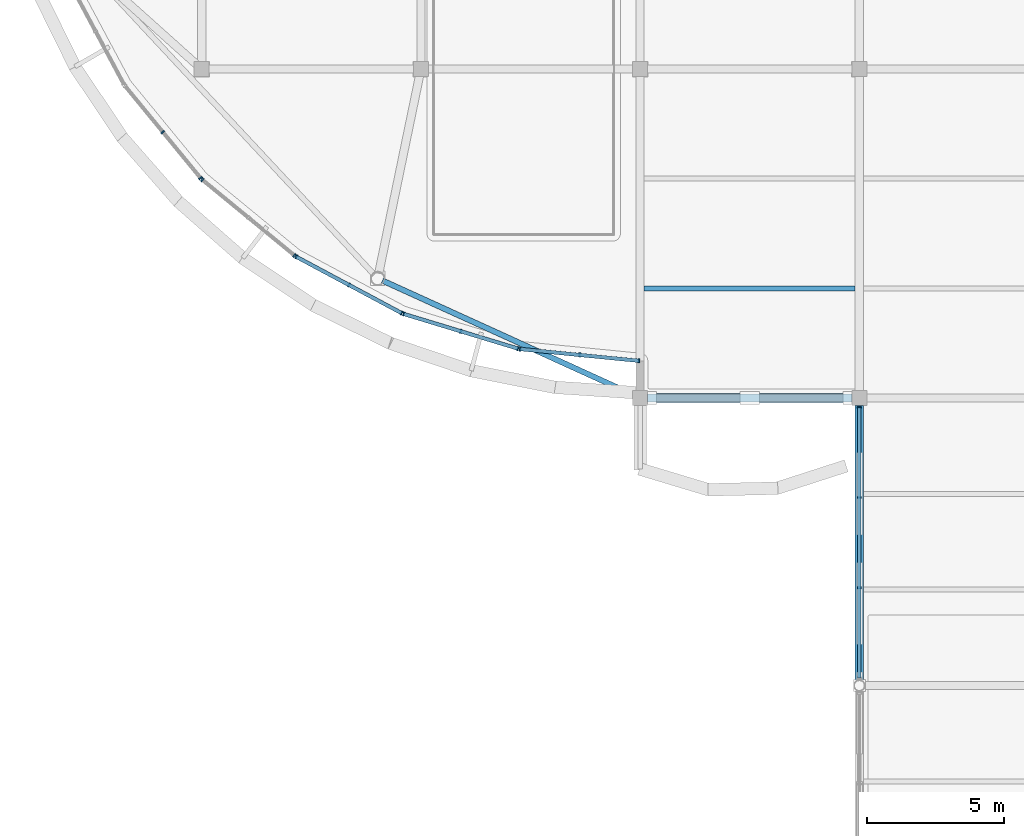
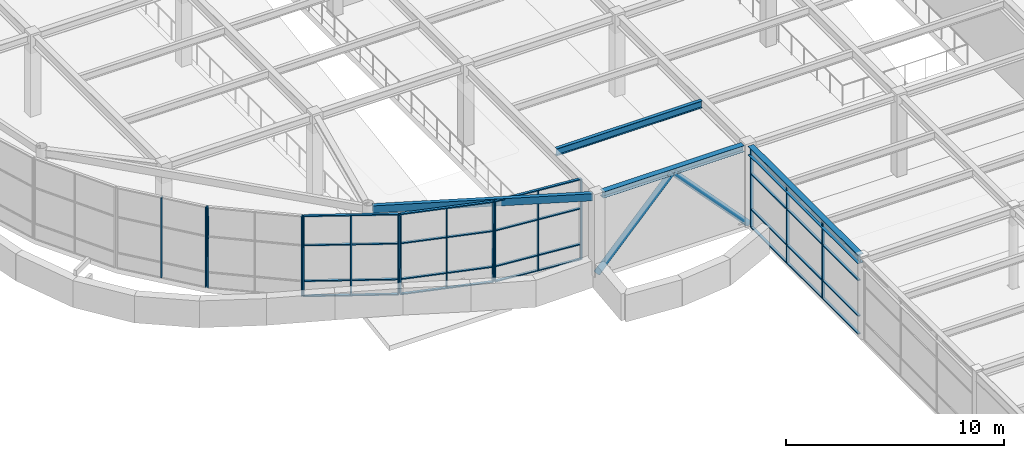
# One storey, part 11 of 72: 34 members, 4 beams, 6 elements without a shape of their own.
"""IFC4 building model written with IfcOpenShell, lengths in metres."""

from ifc_helpers import new_model, si_unit, direction, frame, origin, origin_2d, place, context, subcontext, project, spatial, rectangle, hollow_rectangle, hollow_circle, i_section, extrude, material, layer, layer_set, material_profile, profile_set, type_object, element, aggregate, save


model = new_model("IFC4")

# Units and contexts
model_context = context("Model", 3, precision=1e-05, world=origin(), true_north=direction((0.0, 1.0)))
body_context = subcontext(model_context, "Body", "Model", "MODEL_VIEW")
ifc_project = project(units=[si_unit("LENGTHUNIT", "METRE"), si_unit("AREAUNIT", "SQUARE_METRE"), si_unit("VOLUMEUNIT", "CUBIC_METRE"), si_unit("PLANEANGLEUNIT", "RADIAN"), si_unit("MASSUNIT", "GRAM", prefix="KILO")], contexts=[model_context])

# Site, building, storey
site_placement = place(None, origin())
site = spatial("IfcSite", under=ifc_project, at=site_placement, CompositionType="ELEMENT")
building_placement = place(site_placement, origin())
building = spatial("IfcBuilding", under=site, at=building_placement, Name="Keelwater Ferry Terminal", CompositionType="ELEMENT")
storey_placement = place(building_placement, frame((0.0, 0.0, 5.39990234375)))
storey = spatial("IfcBuildingStorey", under=building, at=storey_placement, Name="L01", CompositionType="ELEMENT", Elevation=5.39990234375)

# Members
ifc_material_1 = material(Name="Steel S355", Category="steel")
ifc_material_profile_1 = material_profile(ifc_material_1, hollow_circle(Radius=0.161865234375, WallThickness=0.012451171875, at=origin_2d()), Name="CHS 323.9x12.5")
ifc_profile_set_1 = profile_set([ifc_material_profile_1], Name="Steel S355")
member_type_1 = type_object("IfcMemberType", Name="BR1 CHS 323.9x12.5", PredefinedType="BRACE", material=ifc_profile_set_1)
for number, where, z_axis, x_axis, name in (
    (1, (24.0, 42.0, 0.0), (0.683655146647, 0.0, 0.729805207205), (0.0, 1.0, 0.0), "Structural Member MB-L01-0533"),
    (2, (32.0, 42.0, 0.0), (-0.683655146647, 0.0, 0.729805207205), (0.0, -1.0, 0.0), "Structural Member MB-L01-0534"),
):
    element("IfcMember", number, at=place(storey_placement, frame(where, z_axis=z_axis, x_axis=x_axis)), inside=storey, type_object=member_type_1, Name=name, PredefinedType="BRACE", context=body_context, shape_type="SweptSolid", body=[
        extrude(hollow_circle(Radius=0.161865234375, WallThickness=0.012451171875, at=origin_2d()), origin(), (0.0, 0.0, 1.0), 5.850830078125),
    ])

# Curtain wall, members
ifc_material_2 = material(Name="Thermally broken unitised aluminium and triple glass", Category="aluminium")
ifc_layer_1 = layer(ifc_material_2, 0.179931640625)
ifc_layer_set_1 = layer_set([ifc_layer_1], Name="Thermally broken unitised aluminium and triple glass")
curtain_wall_type_1 = type_object("IfcCurtainWallType", Name="CW-11 Unitised Curtain Wall 9872x4400", PredefinedType="USERDEFINED", material=ifc_layer_set_1)
curtain_wall_1_placement = place(storey_placement, origin())
curtain_wall_1 = element("IfcCurtainWall", 3, at=curtain_wall_1_placement, inside=storey, type_object=curtain_wall_type_1, Name="Unitised Curtain Wall CW-L01-052", ObjectType="UNITISED CURTAIN WALL", PredefinedType="USERDEFINED")
ifc_material_3 = material(Name="Aluminium mullion", Category="aluminium")
ifc_material_profile_2 = material_profile(ifc_material_3, rectangle(XDim=0.06005859375, YDim=0.14990234375, at=origin_2d()), Name="CWM-03")
ifc_profile_set_2 = profile_set([ifc_material_profile_2], Name="Aluminium mullion")
member_type_2 = type_object("IfcMemberType", Name="CWM-03 Curtain Mullion 60x150", PredefinedType="MULLION", material=ifc_profile_set_2)
member_1_placement = place(storey_placement, frame((32.0, 35.068603515625, 0.0), z_axis=(0.0, 0.0, 1.0), x_axis=(0.0, 1.0, 0.0)))
member_1 = element("IfcMember", 4, at=member_1_placement, type_object=member_type_2, Name="CW-L01-052 Mullion 2", PredefinedType="MULLION", context=body_context, shape_type="SweptSolid", body=[
    extrude(rectangle(XDim=0.06005859375, YDim=0.14990234375, at=origin_2d()), origin(), (0.0, 0.0, 1.0), 4.400146484375),
])
member_2_placement = place(storey_placement, frame((32.0, 38.359375, 0.0), z_axis=(0.0, 0.0, 1.0), x_axis=(0.0, 1.0, 0.0)))
member_2 = element("IfcMember", 5, at=member_2_placement, type_object=member_type_2, Name="CW-L01-052 Mullion 3", PredefinedType="MULLION", context=body_context, shape_type="SweptSolid", body=[
    extrude(rectangle(XDim=0.06005859375, YDim=0.14990234375, at=origin_2d()), origin(), (0.0, 0.0, 1.0), 4.400146484375),
])
member_3_placement = place(storey_placement, frame((32.0, 41.64990234375, 0.0), z_axis=(0.0, 0.0, 1.0), x_axis=(0.0, 1.0, 0.0)))
member_3 = element("IfcMember", 6, at=member_3_placement, type_object=member_type_2, Name="CW-L01-052 Mullion 4", PredefinedType="MULLION", context=body_context, shape_type="SweptSolid", body=[
    extrude(rectangle(XDim=0.06005859375, YDim=0.14990234375, at=origin_2d()), origin(), (0.0, 0.0, 1.0), 4.400146484375),
])

ifc_material_4 = material(Name="Thermally broken unitised aluminium and triple glass", Category="aluminium")
ifc_layer_2 = layer(ifc_material_4, 0.179931640625)
ifc_layer_set_2 = layer_set([ifc_layer_2], Name="Thermally broken unitised aluminium and triple glass")
curtain_wall_type_2 = type_object("IfcCurtainWallType", Name="CW-18 Unitised Curtain Wall 4350x4480", PredefinedType="USERDEFINED", material=ifc_layer_set_2)
curtain_wall_2_placement = place(storey_placement, origin())
curtain_wall_2 = element("IfcCurtainWall", 7, at=curtain_wall_2_placement, inside=storey, type_object=curtain_wall_type_2, Name="Unitised Curtain Wall CW-L01-120", ObjectType="UNITISED CURTAIN WALL", PredefinedType="USERDEFINED")
member_4_placement = place(storey_placement, frame((6.575439453125, 51.699951171875, 0.0), z_axis=(0.0, 0.0, 1.0), x_axis=(0.634376508991, -0.773024220086, 0.0)))
member_4 = element("IfcMember", 8, at=member_4_placement, type_object=member_type_2, Name="CW-L01-120 Mullion 2", PredefinedType="MULLION", context=body_context, shape_type="SweptSolid", body=[
    extrude(rectangle(XDim=0.06005859375, YDim=0.14990234375, at=origin_2d()), origin(), (0.0, 0.0, 1.0), 4.47998046875),
])
member_5_placement = place(storey_placement, frame((7.955078125, 50.01904296875, 0.0), z_axis=(0.0, 0.0, 1.0), x_axis=(0.634376508991, -0.773024220086, 0.0)))
member_5 = element("IfcMember", 9, at=member_5_placement, type_object=member_type_2, Name="CW-L01-120 Mullion 3", PredefinedType="MULLION", context=body_context, shape_type="SweptSolid", body=[
    extrude(rectangle(XDim=0.06005859375, YDim=0.14990234375, at=origin_2d()), origin(), (0.0, 0.0, 1.0), 4.47998046875),
])
aggregate(curtain_wall_2, [member_4, member_5])

curtain_wall_3_placement = place(storey_placement, origin())
curtain_wall_3 = element("IfcCurtainWall", 10, at=curtain_wall_3_placement, inside=storey, type_object=curtain_wall_type_2, Name="Unitised Curtain Wall CW-L01-121", ObjectType="UNITISED CURTAIN WALL", PredefinedType="USERDEFINED")
member_6_placement = place(storey_placement, frame((8.01904296875, 49.955078125, 0.0), z_axis=(0.0, 0.0, 1.0), x_axis=(0.773024220086, -0.634376508991, 0.0)))
member_6 = element("IfcMember", 11, at=member_6_placement, type_object=member_type_2, Name="CW-L01-121 Mullion 1", PredefinedType="MULLION", context=body_context, shape_type="SweptSolid", body=[
    extrude(rectangle(XDim=0.06005859375, YDim=0.14990234375, at=origin_2d()), origin(), (0.0, 0.0, 1.0), 4.47998046875),
])
member_7_placement = place(storey_placement, frame((11.381103515625, 47.196044921875, 0.0), z_axis=(0.0, 0.0, 1.0), x_axis=(0.773024220086, -0.634376508991, 0.0)))
member_7 = element("IfcMember", 12, at=member_7_placement, type_object=member_type_2, Name="CW-L01-121 Mullion 3", PredefinedType="MULLION", context=body_context, shape_type="SweptSolid", body=[
    extrude(rectangle(XDim=0.06005859375, YDim=0.14990234375, at=origin_2d()), origin(), (0.0, 0.0, 1.0), 4.47998046875),
])
aggregate(curtain_wall_3, [member_6, member_7])

curtain_wall_4_placement = place(storey_placement, origin())
curtain_wall_4 = element("IfcCurtainWall", 13, at=curtain_wall_4_placement, inside=storey, type_object=curtain_wall_type_2, Name="Unitised Curtain Wall CW-L01-122", ObjectType="UNITISED CURTAIN WALL", PredefinedType="USERDEFINED")
member_8_placement = place(storey_placement, frame((11.4560546875, 47.14599609375, 0.0), z_axis=(0.0, 0.0, 1.0), x_axis=(0.881862452632, -0.471506749303, 0.0)))
member_8 = element("IfcMember", 14, at=member_8_placement, type_object=member_type_2, Name="CW-L01-122 Mullion 1", PredefinedType="MULLION", context=body_context, shape_type="SweptSolid", body=[
    extrude(rectangle(XDim=0.06005859375, YDim=0.14990234375, at=origin_2d()), origin(), (0.0, 0.0, 1.0), 4.47998046875),
])
member_9_placement = place(storey_placement, frame((13.3740234375, 46.12060546875, 0.0), z_axis=(0.0, 0.0, 1.0), x_axis=(0.881862452632, -0.471506749303, 0.0)))
member_9 = element("IfcMember", 15, at=member_9_placement, type_object=member_type_2, Name="CW-L01-122 Mullion 2", PredefinedType="MULLION", context=body_context, shape_type="SweptSolid", body=[
    extrude(rectangle(XDim=0.06005859375, YDim=0.14990234375, at=origin_2d()), origin(), (0.0, 0.0, 1.0), 4.47998046875),
])
member_10_placement = place(storey_placement, frame((15.2919921875, 45.094970703125, 0.0), z_axis=(0.0, 0.0, 1.0), x_axis=(0.881862452632, -0.471506749303, 0.0)))
member_10 = element("IfcMember", 16, at=member_10_placement, type_object=member_type_2, Name="CW-L01-122 Mullion 3", PredefinedType="MULLION", context=body_context, shape_type="SweptSolid", body=[
    extrude(rectangle(XDim=0.06005859375, YDim=0.14990234375, at=origin_2d()), origin(), (0.0, 0.0, 1.0), 4.47998046875),
])

curtain_wall_5_placement = place(storey_placement, origin())
curtain_wall_5 = element("IfcCurtainWall", 17, at=curtain_wall_5_placement, inside=storey, type_object=curtain_wall_type_2, Name="Unitised Curtain Wall CW-L01-123", ObjectType="UNITISED CURTAIN WALL", PredefinedType="USERDEFINED")
member_11_placement = place(storey_placement, frame((15.375, 45.06103515625, 0.0), z_axis=(0.0, 0.0, 1.0), x_axis=(0.956929623319, -0.290319989003, 0.0)))
member_11 = element("IfcMember", 18, at=member_11_placement, type_object=member_type_2, Name="CW-L01-123 Mullion 1", PredefinedType="MULLION", context=body_context, shape_type="SweptSolid", body=[
    extrude(rectangle(XDim=0.06005859375, YDim=0.14990234375, at=origin_2d()), origin(), (0.0, 0.0, 1.0), 4.47998046875),
])
member_12_placement = place(storey_placement, frame((17.45654296875, 44.429443359375, 0.0), z_axis=(0.0, 0.0, 1.0), x_axis=(0.956929623319, -0.290319989003, 0.0)))
member_12 = element("IfcMember", 19, at=member_12_placement, type_object=member_type_2, Name="CW-L01-123 Mullion 2", PredefinedType="MULLION", context=body_context, shape_type="SweptSolid", body=[
    extrude(rectangle(XDim=0.06005859375, YDim=0.14990234375, at=origin_2d()), origin(), (0.0, 0.0, 1.0), 4.47998046875),
])
member_13_placement = place(storey_placement, frame((19.5380859375, 43.798095703125, 0.0), z_axis=(0.0, 0.0, 1.0), x_axis=(0.956929623319, -0.290319989003, 0.0)))
member_13 = element("IfcMember", 20, at=member_13_placement, type_object=member_type_2, Name="CW-L01-123 Mullion 3", PredefinedType="MULLION", context=body_context, shape_type="SweptSolid", body=[
    extrude(rectangle(XDim=0.06005859375, YDim=0.14990234375, at=origin_2d()), origin(), (0.0, 0.0, 1.0), 4.47998046875),
])

curtain_wall_6_placement = place(storey_placement, origin())
curtain_wall_6 = element("IfcCurtainWall", 21, at=curtain_wall_6_placement, inside=storey, type_object=curtain_wall_type_2, Name="Unitised Curtain Wall CW-L01-124", ObjectType="UNITISED CURTAIN WALL", PredefinedType="USERDEFINED")
member_14_placement = place(storey_placement, frame((19.6259765625, 43.781005859375, 0.0), z_axis=(0.0, 0.0, 1.0), x_axis=(0.995170573079, -0.098160737969, 0.0)))
member_14 = element("IfcMember", 22, at=member_14_placement, type_object=member_type_2, Name="CW-L01-124 Mullion 1", PredefinedType="MULLION", context=body_context, shape_type="SweptSolid", body=[
    extrude(rectangle(XDim=0.06005859375, YDim=0.14990234375, at=origin_2d()), origin(), (0.0, 0.0, 1.0), 4.47998046875),
])
member_15_placement = place(storey_placement, frame((21.79052734375, 43.5673828125, 0.0), z_axis=(0.0, 0.0, 1.0), x_axis=(0.995170573079, -0.098160737969, 0.0)))
member_15 = element("IfcMember", 23, at=member_15_placement, type_object=member_type_2, Name="CW-L01-124 Mullion 2", PredefinedType="MULLION", context=body_context, shape_type="SweptSolid", body=[
    extrude(rectangle(XDim=0.06005859375, YDim=0.14990234375, at=origin_2d()), origin(), (0.0, 0.0, 1.0), 4.47998046875),
])
member_16_placement = place(storey_placement, frame((23.955078125, 43.35400390625, 0.0), z_axis=(0.0, 0.0, 1.0), x_axis=(0.995170573079, -0.098160737969, 0.0)))
member_16 = element("IfcMember", 24, at=member_16_placement, type_object=member_type_2, Name="CW-L01-124 Mullion 3", PredefinedType="MULLION", context=body_context, shape_type="SweptSolid", body=[
    extrude(rectangle(XDim=0.06005859375, YDim=0.14990234375, at=origin_2d()), origin(), (0.0, 0.0, 1.0), 4.47998046875),
])

# Member
ifc_material_5 = material(Name="Aluminium mullion", Category="aluminium")
ifc_material_profile_3 = material_profile(ifc_material_5, rectangle(XDim=0.135009765625, YDim=0.06005859375, at=origin_2d()), Name="CWT-03")
ifc_profile_set_3 = profile_set([ifc_material_profile_3], Name="Aluminium mullion")
member_type_3 = type_object("IfcMemberType", Name="CWT-03 Curtain Transom 60x135", PredefinedType="USERDEFINED", material=ifc_profile_set_3)
member_17_placement = place(storey_placement, frame((32.0, 31.778076171875, 0.0), z_axis=(0.0, 1.0, 0.0), x_axis=(-1.0, 0.0, 0.0)))
member_17 = element("IfcMember", 25, at=member_17_placement, type_object=member_type_3, Name="CW-L01-052 Transom 1", ObjectType="TRANSOM", PredefinedType="USERDEFINED", context=body_context, shape_type="SweptSolid", body=[
    extrude(rectangle(XDim=0.135009765625, YDim=0.06005859375, at=origin_2d()), origin(), (0.0, 0.0, 1.0), 9.871826171875),
])

member_18_placement = place(storey_placement, frame((32.0, 31.778076171875, 1.0), z_axis=(0.0, 1.0, 0.0), x_axis=(-1.0, 0.0, 0.0)))
member_18 = element("IfcMember", 26, at=member_18_placement, type_object=member_type_3, Name="CW-L01-052 Transom 2", ObjectType="TRANSOM", PredefinedType="USERDEFINED", context=body_context, shape_type="SweptSolid", body=[
    extrude(rectangle(XDim=0.135009765625, YDim=0.06005859375, at=origin_2d()), origin(), (0.0, 0.0, 1.0), 9.871826171875),
])

member_19_placement = place(storey_placement, frame((32.0, 31.778076171875, 3.0), z_axis=(0.0, 1.0, 0.0), x_axis=(-1.0, 0.0, 0.0)))
member_19 = element("IfcMember", 27, at=member_19_placement, type_object=member_type_3, Name="CW-L01-052 Transom 3", ObjectType="TRANSOM", PredefinedType="USERDEFINED", context=body_context, shape_type="SweptSolid", body=[
    extrude(rectangle(XDim=0.135009765625, YDim=0.06005859375, at=origin_2d()), origin(), (0.0, 0.0, 1.0), 9.871826171875),
])

member_20_placement = place(storey_placement, frame((32.0, 31.778076171875, 4.400146484375), z_axis=(0.0, 1.0, 0.0), x_axis=(-1.0, 0.0, 0.0)))
member_20 = element("IfcMember", 28, at=member_20_placement, type_object=member_type_3, Name="CW-L01-052 Transom 4", ObjectType="TRANSOM", PredefinedType="USERDEFINED", context=body_context, shape_type="SweptSolid", body=[
    extrude(rectangle(XDim=0.135009765625, YDim=0.06005859375, at=origin_2d()), origin(), (0.0, 0.0, 1.0), 9.871826171875),
])

aggregate(curtain_wall_1, [member_1, member_2, member_3, member_17, member_18, member_19, member_20])

member_21_placement = place(storey_placement, frame((11.4560546875, 47.14599609375, 0.0), z_axis=(0.881856831112, -0.471517263122, 0.0), x_axis=(0.471517263122, 0.881856831112, 0.0)))
member_21 = element("IfcMember", 29, at=member_21_placement, type_object=member_type_3, Name="CW-L01-122 Transom 1", ObjectType="TRANSOM", PredefinedType="USERDEFINED", context=body_context, shape_type="SweptSolid", body=[
    extrude(rectangle(XDim=0.135009765625, YDim=0.06005859375, at=origin_2d()), origin(), (0.0, 0.0, 1.0), 4.349853515625),
])

member_22_placement = place(storey_placement, frame((11.4560546875, 47.14599609375, 0.85009765625), z_axis=(0.881856831112, -0.471517263122, 0.0), x_axis=(0.471517263122, 0.881856831112, 0.0)))
member_22 = element("IfcMember", 30, at=member_22_placement, type_object=member_type_3, Name="CW-L01-122 Transom 2", ObjectType="TRANSOM", PredefinedType="USERDEFINED", context=body_context, shape_type="SweptSolid", body=[
    extrude(rectangle(XDim=0.135009765625, YDim=0.06005859375, at=origin_2d()), origin(), (0.0, 0.0, 1.0), 4.349853515625),
])

member_23_placement = place(storey_placement, frame((11.4560546875, 47.14599609375, 2.85009765625), z_axis=(0.881856831112, -0.471517263122, 0.0), x_axis=(0.471517263122, 0.881856831112, 0.0)))
member_23 = element("IfcMember", 31, at=member_23_placement, type_object=member_type_3, Name="CW-L01-122 Transom 3", ObjectType="TRANSOM", PredefinedType="USERDEFINED", context=body_context, shape_type="SweptSolid", body=[
    extrude(rectangle(XDim=0.135009765625, YDim=0.06005859375, at=origin_2d()), origin(), (0.0, 0.0, 1.0), 4.349853515625),
])

member_24_placement = place(storey_placement, frame((11.4560546875, 47.14599609375, 4.47998046875), z_axis=(0.881856831112, -0.471517263122, 0.0), x_axis=(0.471517263122, 0.881856831112, 0.0)))
member_24 = element("IfcMember", 32, at=member_24_placement, type_object=member_type_3, Name="CW-L01-122 Transom 4", ObjectType="TRANSOM", PredefinedType="USERDEFINED", context=body_context, shape_type="SweptSolid", body=[
    extrude(rectangle(XDim=0.135009765625, YDim=0.06005859375, at=origin_2d()), origin(), (0.0, 0.0, 1.0), 4.349853515625),
])

aggregate(curtain_wall_4, [member_8, member_9, member_10, member_21, member_22, member_23, member_24])

member_25_placement = place(storey_placement, frame((15.375, 45.06103515625, 0.0), z_axis=(0.956935154583, -0.290301756665, 0.0), x_axis=(0.290301756665, 0.956935154583, 0.0)))
member_25 = element("IfcMember", 33, at=member_25_placement, type_object=member_type_3, Name="CW-L01-123 Transom 1", ObjectType="TRANSOM", PredefinedType="USERDEFINED", context=body_context, shape_type="SweptSolid", body=[
    extrude(rectangle(XDim=0.135009765625, YDim=0.06005859375, at=origin_2d()), origin(), (0.0, 0.0, 1.0), 4.350341796875),
])

member_26_placement = place(storey_placement, frame((15.375, 45.06103515625, 0.85009765625), z_axis=(0.956935154583, -0.290301756665, 0.0), x_axis=(0.290301756665, 0.956935154583, 0.0)))
member_26 = element("IfcMember", 34, at=member_26_placement, type_object=member_type_3, Name="CW-L01-123 Transom 2", ObjectType="TRANSOM", PredefinedType="USERDEFINED", context=body_context, shape_type="SweptSolid", body=[
    extrude(rectangle(XDim=0.135009765625, YDim=0.06005859375, at=origin_2d()), origin(), (0.0, 0.0, 1.0), 4.350341796875),
])

member_27_placement = place(storey_placement, frame((15.375, 45.06103515625, 2.85009765625), z_axis=(0.956935154583, -0.290301756665, 0.0), x_axis=(0.290301756665, 0.956935154583, 0.0)))
member_27 = element("IfcMember", 35, at=member_27_placement, type_object=member_type_3, Name="CW-L01-123 Transom 3", ObjectType="TRANSOM", PredefinedType="USERDEFINED", context=body_context, shape_type="SweptSolid", body=[
    extrude(rectangle(XDim=0.135009765625, YDim=0.06005859375, at=origin_2d()), origin(), (0.0, 0.0, 1.0), 4.350341796875),
])

member_28_placement = place(storey_placement, frame((15.375, 45.06103515625, 4.47998046875), z_axis=(0.956935154583, -0.290301756665, 0.0), x_axis=(0.290301756665, 0.956935154583, 0.0)))
member_28 = element("IfcMember", 36, at=member_28_placement, type_object=member_type_3, Name="CW-L01-123 Transom 4", ObjectType="TRANSOM", PredefinedType="USERDEFINED", context=body_context, shape_type="SweptSolid", body=[
    extrude(rectangle(XDim=0.135009765625, YDim=0.06005859375, at=origin_2d()), origin(), (0.0, 0.0, 1.0), 4.350341796875),
])

aggregate(curtain_wall_5, [member_11, member_12, member_13, member_25, member_26, member_27, member_28])

member_29_placement = place(storey_placement, frame((19.6259765625, 43.781005859375, 0.0), z_axis=(0.995170754178, -0.098158901932, 0.0), x_axis=(0.098158901932, 0.995170754178, 0.0)))
member_29 = element("IfcMember", 37, at=member_29_placement, type_object=member_type_3, Name="CW-L01-124 Transom 1", ObjectType="TRANSOM", PredefinedType="USERDEFINED", context=body_context, shape_type="SweptSolid", body=[
    extrude(rectangle(XDim=0.135009765625, YDim=0.06005859375, at=origin_2d()), origin(), (0.0, 0.0, 1.0), 4.35009765625),
])

member_30_placement = place(storey_placement, frame((19.6259765625, 43.781005859375, 0.85009765625), z_axis=(0.995170754178, -0.098158901932, 0.0), x_axis=(0.098158901932, 0.995170754178, 0.0)))
member_30 = element("IfcMember", 38, at=member_30_placement, type_object=member_type_3, Name="CW-L01-124 Transom 2", ObjectType="TRANSOM", PredefinedType="USERDEFINED", context=body_context, shape_type="SweptSolid", body=[
    extrude(rectangle(XDim=0.135009765625, YDim=0.06005859375, at=origin_2d()), origin(), (0.0, 0.0, 1.0), 4.35009765625),
])

member_31_placement = place(storey_placement, frame((19.6259765625, 43.781005859375, 2.85009765625), z_axis=(0.995170754178, -0.098158901932, 0.0), x_axis=(0.098158901932, 0.995170754178, 0.0)))
member_31 = element("IfcMember", 39, at=member_31_placement, type_object=member_type_3, Name="CW-L01-124 Transom 3", ObjectType="TRANSOM", PredefinedType="USERDEFINED", context=body_context, shape_type="SweptSolid", body=[
    extrude(rectangle(XDim=0.135009765625, YDim=0.06005859375, at=origin_2d()), origin(), (0.0, 0.0, 1.0), 4.35009765625),
])

member_32_placement = place(storey_placement, frame((19.6259765625, 43.781005859375, 4.47998046875), z_axis=(0.995170754178, -0.098158901932, 0.0), x_axis=(0.098158901932, 0.995170754178, 0.0)))
member_32 = element("IfcMember", 40, at=member_32_placement, type_object=member_type_3, Name="CW-L01-124 Transom 4", ObjectType="TRANSOM", PredefinedType="USERDEFINED", context=body_context, shape_type="SweptSolid", body=[
    extrude(rectangle(XDim=0.135009765625, YDim=0.06005859375, at=origin_2d()), origin(), (0.0, 0.0, 1.0), 4.35009765625),
])

aggregate(curtain_wall_6, [member_14, member_15, member_16, member_29, member_30, member_31, member_32])

# Beams
ifc_material_6 = material(Name="Steel S355", Category="steel")
ifc_material_profile_4 = material_profile(ifc_material_6, i_section(OverallWidth=0.300048828125, OverallDepth=0.5, WebThickness=0.014404296875, FlangeThickness=0.028076171875, at=origin_2d()), Name="HEB 500")
ifc_profile_set_4 = profile_set([ifc_material_profile_4], Name="Steel S355")
beam_type_1 = type_object("IfcBeamType", Name="G5E HEB 500", PredefinedType="BEAM", material=ifc_profile_set_4)
beam_1_placement = place(storey_placement, frame((32.0, 31.6669921875, 4.27001953125), z_axis=(0.0, 1.0, 0.0), x_axis=(-1.0, 0.0, 0.0)))
element("IfcBeam", 41, at=beam_1_placement, inside=storey, type_object=beam_type_1, Name="Beam BM-L01-0722", PredefinedType="BEAM", context=body_context, shape_type="SweptSolid", body=[
    extrude(i_section(OverallWidth=0.300048828125, OverallDepth=0.5, WebThickness=0.014404296875, FlangeThickness=0.028076171875, at=origin_2d()), origin(), (0.0, 0.0, 1.0), 10.06298828125),
])
ifc_material_7 = material(Name="Steel S355", Category="steel")
ifc_material_profile_5 = material_profile(ifc_material_7, i_section(OverallWidth=0.179931640625, OverallDepth=0.39990234375, WebThickness=0.008544921875, FlangeThickness=0.013427734375, at=origin_2d()), Name="IPE 400")
ifc_profile_set_5 = profile_set([ifc_material_profile_5], Name="Steel S355")
beam_type_2 = type_object("IfcBeamType", Name="J5 IPE 400", PredefinedType="JOIST", material=ifc_profile_set_5)
beam_2_placement = place(storey_placement, frame((24.14990234375, 46.0, 4.320068359375), z_axis=(1.0, 0.0, 0.0), x_axis=(0.0, 1.0, 0.0)))
element("IfcBeam", 42, at=beam_2_placement, inside=storey, type_object=beam_type_2, Name="Beam BM-L01-0819", PredefinedType="JOIST", context=body_context, shape_type="SweptSolid", body=[
    extrude(i_section(OverallWidth=0.179931640625, OverallDepth=0.39990234375, WebThickness=0.008544921875, FlangeThickness=0.013427734375, at=origin_2d()), origin(), (0.0, 0.0, 1.0), 7.7001953125),
])
ifc_material_8 = material(Name="Steel S355", Category="steel")
ifc_material_profile_6 = material_profile(ifc_material_8, i_section(OverallWidth=0.300048828125, OverallDepth=0.35009765625, WebThickness=0.010009765625, FlangeThickness=0.017578125, at=origin_2d()), Name="HEA 360")
ifc_profile_set_6 = profile_set([ifc_material_profile_6], Name="Steel S355")
beam_type_3 = type_object("IfcBeamType", Name="SP1E HEA 360", PredefinedType="SPANDREL", material=ifc_profile_set_6)
beam_3_placement = place(storey_placement, frame((24.27001953125, 42.0, 4.34521484375), z_axis=(1.0, 0.0, 0.0), x_axis=(0.0, 1.0, 0.0)))
element("IfcBeam", 43, at=beam_3_placement, inside=storey, type_object=beam_type_3, Name="Beam BM-L01-0621", PredefinedType="SPANDREL", context=body_context, shape_type="SweptSolid", body=[
    extrude(i_section(OverallWidth=0.300048828125, OverallDepth=0.35009765625, WebThickness=0.010009765625, FlangeThickness=0.017578125, at=origin_2d()), origin(), (0.0, 0.0, 1.0), 7.4599609375),
])
ifc_material_9 = material(Name="Steel S355", Category="steel")
ifc_material_profile_7 = material_profile(ifc_material_9, hollow_rectangle(XDim=0.199951171875, YDim=0.39990234375, WallThickness=0.01611328125, at=origin_2d()), Name="RHS 400x200x16")
ifc_profile_set_7 = profile_set([ifc_material_profile_7], Name="Steel S355")
beam_type_4 = type_object("IfcBeamType", Name="SP3E RHS 400x200x16", PredefinedType="SPANDREL", material=ifc_profile_set_7)
beam_4_placement = place(storey_placement, frame((14.594970703125, 46.281982421875, 4.320068359375), z_axis=(0.910123163328, -0.414337818181, 0.0), x_axis=(0.414337818181, 0.910123163328, 0.0)))
element("IfcBeam", 44, at=beam_4_placement, inside=storey, type_object=beam_type_4, Name="Beam BM-L01-0967", PredefinedType="SPANDREL", context=body_context, shape_type="SweptSolid", body=[
    extrude(hollow_rectangle(XDim=0.199951171875, YDim=0.39990234375, WallThickness=0.01611328125, at=origin_2d()), origin(), (0.0, 0.0, 1.0), 10.1435546875),
])

save(model, "model.ifc")
